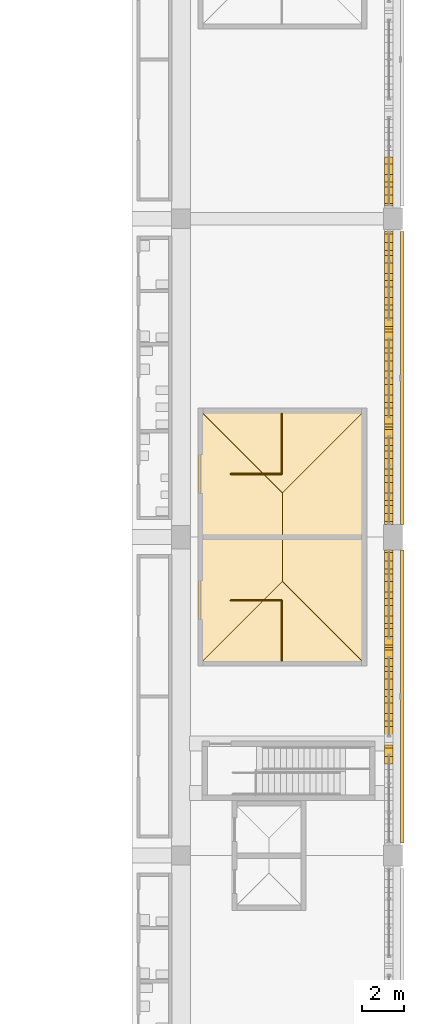
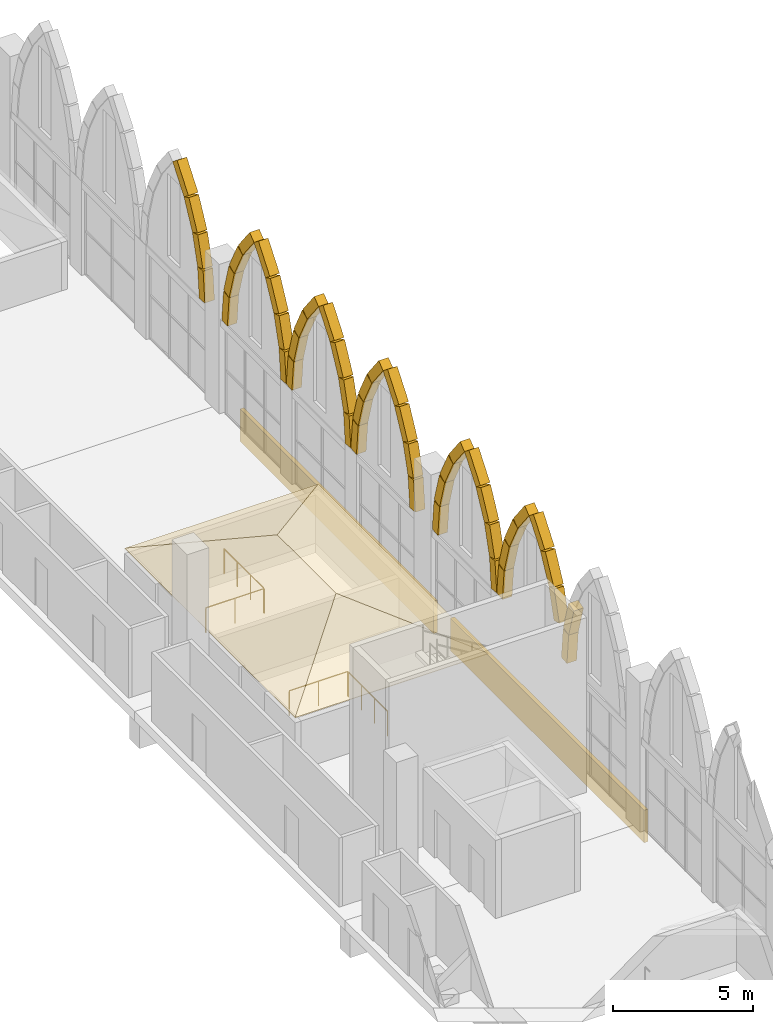
# One storey, part 114 of 130: 51 coverings, 4 railings.
"""IFC4 building model written with IfcOpenShell, lengths in metres."""

from ifc_helpers import new_model, si_unit, direction, frame, origin, origin_2d, place, context, subcontext, project, spatial, polyline, rectangle, circle, outline, extrude, material, layer, layer_set, material_profile, profile_set, type_object, element, save


model = new_model("IFC4")

# Units and contexts
model_context = context("Model", 3, precision=1e-05, world=origin(), true_north=direction((0.0, 1.0)))
body_context = subcontext(model_context, "Body", "Model", "MODEL_VIEW")
ifc_project = project(units=[si_unit("LENGTHUNIT", "METRE"), si_unit("AREAUNIT", "SQUARE_METRE"), si_unit("VOLUMEUNIT", "CUBIC_METRE"), si_unit("PLANEANGLEUNIT", "RADIAN"), si_unit("MASSUNIT", "GRAM", prefix="KILO")], contexts=[model_context])

# Site, building, storey
site_placement = place(None, origin())
site = spatial("IfcSite", under=ifc_project, at=site_placement, CompositionType="ELEMENT")
building_placement = place(site_placement, origin())
building = spatial("IfcBuilding", under=site, at=building_placement, Name="Ogive Plaza Stadium", CompositionType="ELEMENT")
storey_placement = place(building_placement, frame((0.0, 0.0, 22.5)))
storey = spatial("IfcBuildingStorey", under=building, at=storey_placement, Name="L05", CompositionType="ELEMENT", Elevation=22.5)

# Railings
ifc_material_1 = material(Name="Steel ASTM A572 Grade 50", Category="steel")
railing_type = type_object("IfcRailingType", Name="Guard 1100", PredefinedType="GUARDRAIL", material=ifc_material_1)
railing_1_placement = place(storey_placement, frame((76.35009765625, 4.52490234375, 0.0)))
element("IfcRailing", 1, at=railing_1_placement, inside=storey, type_object=railing_type, Name="Stair well guard ST04A L05", PredefinedType="GUARDRAIL", context=body_context, shape_type="SweptSolid", body=[
    extrude(circle(Radius=0.02392578125, at=origin_2d()), frame((0.0, 0.0, 1.076171875), z_axis=(1.0, 0.0, 0.0), x_axis=(0.0, 1.0, 0.0)), (0.0, 0.0, 1.0), 2.39990234375),
    extrude(circle(Radius=0.02099609375, at=origin_2d()), origin(), (0.0, 0.0, 1.0), 1.052001953125),
    extrude(circle(Radius=0.02099609375, at=origin_2d()), frame((1.199951171875, 0.0, 0.0)), (0.0, 0.0, 1.0), 1.052001953125),
    extrude(circle(Radius=0.02099609375, at=origin_2d()), frame((2.39990234375, 0.0, 0.0)), (0.0, 0.0, 1.0), 1.052001953125),
])
railing_2_placement = place(storey_placement, frame((78.75, 1.675048828125, 0.0)))
element("IfcRailing", 2, at=railing_2_placement, inside=storey, type_object=railing_type, Name="Stair guard ST04A L05", PredefinedType="GUARDRAIL", context=body_context, shape_type="SweptSolid", body=[
    extrude(circle(Radius=0.02392578125, at=origin_2d()), frame((0.0, 0.0, 1.076171875), z_axis=(0.0, 1.0, 0.0), x_axis=(-1.0, 0.0, 0.0)), (0.0, 0.0, 1.0), 2.800048828125),
    extrude(circle(Radius=0.02099609375, at=origin_2d()), origin(), (0.0, 0.0, 1.0), 1.052001953125),
    extrude(circle(Radius=0.02099609375, at=origin_2d()), frame((0.0, 0.933349609375, 0.0)), (0.0, 0.0, 1.0), 1.052001953125),
    extrude(circle(Radius=0.02099609375, at=origin_2d()), frame((0.0, 1.86669921875, 0.0)), (0.0, 0.0, 1.0), 1.052001953125),
    extrude(circle(Radius=0.02099609375, at=origin_2d()), frame((0.0, 2.800048828125, 0.0)), (0.0, 0.0, 1.0), 1.052001953125),
])
railing_3_placement = place(storey_placement, frame((76.35009765625, 10.47509765625, 0.0)))
element("IfcRailing", 3, at=railing_3_placement, inside=storey, type_object=railing_type, Name="Stair well guard ST04B L05", PredefinedType="GUARDRAIL", context=body_context, shape_type="SweptSolid", body=[
    extrude(circle(Radius=0.02392578125, at=origin_2d()), frame((0.0, 0.0, 1.076171875), z_axis=(1.0, 0.0, 0.0), x_axis=(0.0, 1.0, 0.0)), (0.0, 0.0, 1.0), 2.39990234375),
    extrude(circle(Radius=0.02099609375, at=origin_2d()), origin(), (0.0, 0.0, 1.0), 1.052001953125),
    extrude(circle(Radius=0.02099609375, at=origin_2d()), frame((1.199951171875, 0.0, 0.0)), (0.0, 0.0, 1.0), 1.052001953125),
    extrude(circle(Radius=0.02099609375, at=origin_2d()), frame((2.39990234375, 0.0, 0.0)), (0.0, 0.0, 1.0), 1.052001953125),
])
railing_4_placement = place(storey_placement, frame((78.75, 10.52490234375, 0.0)))
element("IfcRailing", 4, at=railing_4_placement, inside=storey, type_object=railing_type, Name="Stair guard ST04B L05", PredefinedType="GUARDRAIL", context=body_context, shape_type="SweptSolid", body=[
    extrude(circle(Radius=0.02392578125, at=origin_2d()), frame((0.0, 0.0, 1.076171875), z_axis=(0.0, 1.0, 0.0), x_axis=(-1.0, 0.0, 0.0)), (0.0, 0.0, 1.0), 2.800048828125),
    extrude(circle(Radius=0.02099609375, at=origin_2d()), origin(), (0.0, 0.0, 1.0), 1.052001953125),
    extrude(circle(Radius=0.02099609375, at=origin_2d()), frame((0.0, 0.933349609375, 0.0)), (0.0, 0.0, 1.0), 1.052001953125),
    extrude(circle(Radius=0.02099609375, at=origin_2d()), frame((0.0, 1.86669921875, 0.0)), (0.0, 0.0, 1.0), 1.052001953125),
    extrude(circle(Radius=0.02099609375, at=origin_2d()), frame((0.0, 2.800048828125, 0.0)), (0.0, 0.0, 1.0), 1.052001953125),
])

# Coverings
ifc_material_2 = material(Name="Cast stone (reconstituted limestone)", Category="masonry")
ifc_material_profile = material_profile(ifc_material_2, rectangle(XDim=0.39990234375, YDim=0.39990234375, at=origin_2d()), Name="Cast stone 400x400")
ifc_profile_set = profile_set([ifc_material_profile], Name="Cast stone (reconstituted limestone)")
covering_type_1 = type_object("IfcCoveringType", Name="Precast arch rib 400x400", PredefinedType="MOLDING", material=ifc_profile_set)
covering_1_placement = place(storey_placement, frame((83.800048828125, 25.241943359375, 9.0224609375), z_axis=(0.0, -0.612799939872, -0.790238086713), x_axis=(1.0, 0.0, 0.0)))
element("IfcCovering", 5, at=covering_1_placement, inside=storey, type_object=covering_type_1, Name="ARCH RIB B02 3.5", PredefinedType="MOLDING", context=body_context, shape_type="SweptSolid", body=[
    extrude(rectangle(XDim=0.39990234375, YDim=0.39990234375, at=origin_2d()), origin(), (0.0, 0.0, 1.0), 1.319580078125),
])
for number, where, z_axis, x_axis, name in (
    (6, (83.800048828125, 24.4130859375, 7.947998046875), (0.0, -0.453934094395, -0.891035261898), (1.0, 0.0, 0.0), "ARCH RIB B02 3.6"),
    (7, (83.800048828125, 23.80029296875, 6.737060546875), (0.0, -0.2789697965, -0.960299876414), (1.0, 0.0, 0.0), "ARCH RIB B02 3.7"),
):
    element("IfcCovering", number, at=place(storey_placement, frame(where, z_axis=z_axis, x_axis=x_axis)), inside=storey, type_object=covering_type_1, Name=name, PredefinedType="MOLDING", context=body_context, shape_type="SweptSolid", body=[
        extrude(rectangle(XDim=0.39990234375, YDim=0.39990234375, at=origin_2d()), origin(), (0.0, 0.0, 1.0), 1.31982421875),
    ])
for number, where, z_axis, x_axis, name in (
    (8, (83.800048828125, 23.425048828125, 5.4326171875), (0.0, -0.094171713154, -0.995555969517), (1.0, 0.0, 0.0), "ARCH RIB B02 3.8"),
    (9, (83.800048828125, 21.69921875, 4.118896484375), (0.0, -0.094171713154, 0.995555969517), (1.0, 0.0, 0.0), "ARCH RIB B03 1.1"),
):
    element("IfcCovering", number, at=place(storey_placement, frame(where, z_axis=z_axis, x_axis=x_axis)), inside=storey, type_object=covering_type_1, Name=name, PredefinedType="MOLDING", context=body_context, shape_type="SweptSolid", body=[
        extrude(rectangle(XDim=0.39990234375, YDim=0.39990234375, at=origin_2d()), origin(), (0.0, 0.0, 1.0), 1.319580078125),
    ])
for number, where, z_axis, x_axis, name in (
    (10, (83.800048828125, 21.56787109375, 5.4697265625), (0.0, -0.2789697965, 0.960299876414), (1.0, 0.0, 0.0), "ARCH RIB B03 1.2"),
    (11, (83.800048828125, 21.18603515625, 6.77197265625), (0.0, -0.453934094395, 0.891035261898), (1.0, 0.0, 0.0), "ARCH RIB B03 1.3"),
):
    element("IfcCovering", number, at=place(storey_placement, frame(where, z_axis=z_axis, x_axis=x_axis)), inside=storey, type_object=covering_type_1, Name=name, PredefinedType="MOLDING", context=body_context, shape_type="SweptSolid", body=[
        extrude(rectangle(XDim=0.39990234375, YDim=0.39990234375, at=origin_2d()), origin(), (0.0, 0.0, 1.0), 1.31982421875),
    ])
for number, where, z_axis, x_axis, name in (
    (12, (83.800048828125, 20.566650390625, 7.979736328125), (0.0, -0.612799939872, 0.790238086713), (1.0, 0.0, 0.0), "ARCH RIB B03 1.4"),
    (13, (83.800048828125, 19.44189453125, 9.0224609375), (0.0, -0.612799939872, -0.790238086713), (1.0, 0.0, 0.0), "ARCH RIB B03 1.5"),
):
    element("IfcCovering", number, at=place(storey_placement, frame(where, z_axis=z_axis, x_axis=x_axis)), inside=storey, type_object=covering_type_1, Name=name, PredefinedType="MOLDING", context=body_context, shape_type="SweptSolid", body=[
        extrude(rectangle(XDim=0.39990234375, YDim=0.39990234375, at=origin_2d()), origin(), (0.0, 0.0, 1.0), 1.319580078125),
    ])
for number, where, z_axis, x_axis, name in (
    (14, (83.800048828125, 18.613037109375, 7.947998046875), (0.0, -0.453787214374, -0.891110074048), (1.0, 0.0, 0.0), "ARCH RIB B03 1.6"),
    (15, (83.800048828125, 18.000244140625, 6.737060546875), (0.0, -0.2789697965, -0.960299876414), (1.0, 0.0, 0.0), "ARCH RIB B03 1.7"),
):
    element("IfcCovering", number, at=place(storey_placement, frame(where, z_axis=z_axis, x_axis=x_axis)), inside=storey, type_object=covering_type_1, Name=name, PredefinedType="MOLDING", context=body_context, shape_type="SweptSolid", body=[
        extrude(rectangle(XDim=0.39990234375, YDim=0.39990234375, at=origin_2d()), origin(), (0.0, 0.0, 1.0), 1.31982421875),
    ])
for number, where, z_axis, x_axis, name in (
    (16, (83.800048828125, 17.625, 5.4326171875), (0.0, -0.093988335931, -0.995573298511), (1.0, 0.0, 0.0), "ARCH RIB B03 1.8"),
    (17, (83.800048828125, 17.09912109375, 4.118896484375), (0.0, -0.094171713154, 0.995555969517), (1.0, 0.0, 0.0), "ARCH RIB B03 2.1"),
    (18, (83.800048828125, 16.9677734375, 5.4697265625), (0.0, -0.278799187003, 0.960349422516), (1.0, 0.0, 0.0), "ARCH RIB B03 2.2"),
):
    element("IfcCovering", number, at=place(storey_placement, frame(where, z_axis=z_axis, x_axis=x_axis)), inside=storey, type_object=covering_type_1, Name=name, PredefinedType="MOLDING", context=body_context, shape_type="SweptSolid", body=[
        extrude(rectangle(XDim=0.39990234375, YDim=0.39990234375, at=origin_2d()), origin(), (0.0, 0.0, 1.0), 1.319580078125),
    ])
covering_2_placement = place(storey_placement, frame((83.800048828125, 16.5859375, 6.77197265625), z_axis=(0.0, -0.453934094395, 0.891035261898), x_axis=(1.0, 0.0, 0.0)))
element("IfcCovering", 19, at=covering_2_placement, inside=storey, type_object=covering_type_1, Name="ARCH RIB B03 2.3", PredefinedType="MOLDING", context=body_context, shape_type="SweptSolid", body=[
    extrude(rectangle(XDim=0.39990234375, YDim=0.39990234375, at=origin_2d()), origin(), (0.0, 0.0, 1.0), 1.31982421875),
])
for number, where, z_axis, x_axis, name in (
    (20, (83.800048828125, 15.966796875, 7.979736328125), (0.0, -0.612915463399, 0.790148489036), (1.0, 0.0, 0.0), "ARCH RIB B03 2.4"),
    (21, (83.800048828125, 14.842041015625, 9.0224609375), (0.0, -0.612915463399, -0.790148489036), (1.0, 0.0, 0.0), "ARCH RIB B03 2.5"),
):
    element("IfcCovering", number, at=place(storey_placement, frame(where, z_axis=z_axis, x_axis=x_axis)), inside=storey, type_object=covering_type_1, Name=name, PredefinedType="MOLDING", context=body_context, shape_type="SweptSolid", body=[
        extrude(rectangle(XDim=0.39990234375, YDim=0.39990234375, at=origin_2d()), origin(), (0.0, 0.0, 1.0), 1.319580078125),
    ])
covering_3_placement = place(storey_placement, frame((83.800048828125, 14.01318359375, 7.947998046875), z_axis=(0.0, -0.453934094395, -0.891035261898), x_axis=(1.0, 0.0, 0.0)))
element("IfcCovering", 22, at=covering_3_placement, inside=storey, type_object=covering_type_1, Name="ARCH RIB B03 2.6", PredefinedType="MOLDING", context=body_context, shape_type="SweptSolid", body=[
    extrude(rectangle(XDim=0.39990234375, YDim=0.39990234375, at=origin_2d()), origin(), (0.0, 0.0, 1.0), 1.31982421875),
])
for number, where, z_axis, x_axis, name in (
    (23, (83.800048828125, 13.400146484375, 6.737060546875), (0.0, -0.278799187003, -0.960349422516), (1.0, 0.0, 0.0), "ARCH RIB B03 2.7"),
    (24, (83.800048828125, 13.025146484375, 5.4326171875), (0.0, -0.094171713154, -0.995555969517), (1.0, 0.0, 0.0), "ARCH RIB B03 2.8"),
    (25, (83.800048828125, 12.4990234375, 4.118896484375), (0.0, -0.093988335931, 0.995573298511), (1.0, 0.0, 0.0), "ARCH RIB B03 3.1"),
):
    element("IfcCovering", number, at=place(storey_placement, frame(where, z_axis=z_axis, x_axis=x_axis)), inside=storey, type_object=covering_type_1, Name=name, PredefinedType="MOLDING", context=body_context, shape_type="SweptSolid", body=[
        extrude(rectangle(XDim=0.39990234375, YDim=0.39990234375, at=origin_2d()), origin(), (0.0, 0.0, 1.0), 1.319580078125),
    ])
for number, where, z_axis, x_axis, name in (
    (26, (83.800048828125, 12.367919921875, 5.4697265625), (0.0, -0.2789697965, 0.960299876414), (1.0, 0.0, 0.0), "ARCH RIB B03 3.2"),
    (27, (83.800048828125, 11.98583984375, 6.77197265625), (0.0, -0.453787214374, 0.891110074048), (1.0, 0.0, 0.0), "ARCH RIB B03 3.3"),
):
    element("IfcCovering", number, at=place(storey_placement, frame(where, z_axis=z_axis, x_axis=x_axis)), inside=storey, type_object=covering_type_1, Name=name, PredefinedType="MOLDING", context=body_context, shape_type="SweptSolid", body=[
        extrude(rectangle(XDim=0.39990234375, YDim=0.39990234375, at=origin_2d()), origin(), (0.0, 0.0, 1.0), 1.31982421875),
    ])
for number, where, z_axis, x_axis, name in (
    (28, (83.800048828125, 11.36669921875, 7.979736328125), (0.0, -0.612799939872, 0.790238086713), (1.0, 0.0, 0.0), "ARCH RIB B03 3.4"),
    (29, (83.800048828125, 10.241943359375, 9.0224609375), (0.0, -0.612799939872, -0.790238086713), (1.0, 0.0, 0.0), "ARCH RIB B03 3.5"),
):
    element("IfcCovering", number, at=place(storey_placement, frame(where, z_axis=z_axis, x_axis=x_axis)), inside=storey, type_object=covering_type_1, Name=name, PredefinedType="MOLDING", context=body_context, shape_type="SweptSolid", body=[
        extrude(rectangle(XDim=0.39990234375, YDim=0.39990234375, at=origin_2d()), origin(), (0.0, 0.0, 1.0), 1.319580078125),
    ])
for number, where, z_axis, x_axis, name in (
    (30, (83.800048828125, 9.4130859375, 7.947998046875), (0.0, -0.453934094395, -0.891035261898), (1.0, 0.0, 0.0), "ARCH RIB B03 3.6"),
    (31, (83.800048828125, 8.80029296875, 6.737060546875), (0.0, -0.2789697965, -0.960299876414), (1.0, 0.0, 0.0), "ARCH RIB B03 3.7"),
):
    element("IfcCovering", number, at=place(storey_placement, frame(where, z_axis=z_axis, x_axis=x_axis)), inside=storey, type_object=covering_type_1, Name=name, PredefinedType="MOLDING", context=body_context, shape_type="SweptSolid", body=[
        extrude(rectangle(XDim=0.39990234375, YDim=0.39990234375, at=origin_2d()), origin(), (0.0, 0.0, 1.0), 1.31982421875),
    ])
for number, where, z_axis, x_axis, name in (
    (32, (83.800048828125, 8.425048828125, 5.4326171875), (0.0, -0.094171713154, -0.995555969517), (1.0, 0.0, 0.0), "ARCH RIB B03 3.8"),
    (33, (83.800048828125, 6.69921875, 4.118896484375), (0.0, -0.094171713154, 0.995555969517), (1.0, 0.0, 0.0), "ARCH RIB B04 1.1"),
):
    element("IfcCovering", number, at=place(storey_placement, frame(where, z_axis=z_axis, x_axis=x_axis)), inside=storey, type_object=covering_type_1, Name=name, PredefinedType="MOLDING", context=body_context, shape_type="SweptSolid", body=[
        extrude(rectangle(XDim=0.39990234375, YDim=0.39990234375, at=origin_2d()), origin(), (0.0, 0.0, 1.0), 1.319580078125),
    ])
for number, where, z_axis, x_axis, name in (
    (34, (83.800048828125, 6.56787109375, 5.4697265625), (0.0, -0.2789697965, 0.960299876414), (1.0, 0.0, 0.0), "ARCH RIB B04 1.2"),
    (35, (83.800048828125, 6.18603515625, 6.77197265625), (0.0, -0.453934094395, 0.891035261898), (1.0, 0.0, 0.0), "ARCH RIB B04 1.3"),
):
    element("IfcCovering", number, at=place(storey_placement, frame(where, z_axis=z_axis, x_axis=x_axis)), inside=storey, type_object=covering_type_1, Name=name, PredefinedType="MOLDING", context=body_context, shape_type="SweptSolid", body=[
        extrude(rectangle(XDim=0.39990234375, YDim=0.39990234375, at=origin_2d()), origin(), (0.0, 0.0, 1.0), 1.31982421875),
    ])
for number, where, z_axis, x_axis, name in (
    (36, (83.800048828125, 5.566650390625, 7.979736328125), (0.0, -0.612799939872, 0.790238086713), (1.0, 0.0, 0.0), "ARCH RIB B04 1.4"),
    (37, (83.800048828125, 4.44189453125, 9.0224609375), (0.0, -0.612799939872, -0.790238086713), (1.0, 0.0, 0.0), "ARCH RIB B04 1.5"),
):
    element("IfcCovering", number, at=place(storey_placement, frame(where, z_axis=z_axis, x_axis=x_axis)), inside=storey, type_object=covering_type_1, Name=name, PredefinedType="MOLDING", context=body_context, shape_type="SweptSolid", body=[
        extrude(rectangle(XDim=0.39990234375, YDim=0.39990234375, at=origin_2d()), origin(), (0.0, 0.0, 1.0), 1.319580078125),
    ])
for number, where, z_axis, x_axis, name in (
    (38, (83.800048828125, 3.613037109375, 7.947998046875), (0.0, -0.453787214374, -0.891110074048), (1.0, 0.0, 0.0), "ARCH RIB B04 1.6"),
    (39, (83.800048828125, 3.000244140625, 6.737060546875), (0.0, -0.2789697965, -0.960299876414), (1.0, 0.0, 0.0), "ARCH RIB B04 1.7"),
):
    element("IfcCovering", number, at=place(storey_placement, frame(where, z_axis=z_axis, x_axis=x_axis)), inside=storey, type_object=covering_type_1, Name=name, PredefinedType="MOLDING", context=body_context, shape_type="SweptSolid", body=[
        extrude(rectangle(XDim=0.39990234375, YDim=0.39990234375, at=origin_2d()), origin(), (0.0, 0.0, 1.0), 1.31982421875),
    ])
for number, where, z_axis, x_axis, name in (
    (40, (83.800048828125, 2.625, 5.4326171875), (0.0, -0.093988335931, -0.995573298511), (1.0, 0.0, 0.0), "ARCH RIB B04 1.8"),
    (41, (83.800048828125, 2.09912109375, 4.118896484375), (0.0, -0.094171713154, 0.995555969517), (1.0, 0.0, 0.0), "ARCH RIB B04 2.1"),
    (42, (83.800048828125, 1.9677734375, 5.4697265625), (0.0, -0.278799187003, 0.960349422516), (1.0, 0.0, 0.0), "ARCH RIB B04 2.2"),
):
    element("IfcCovering", number, at=place(storey_placement, frame(where, z_axis=z_axis, x_axis=x_axis)), inside=storey, type_object=covering_type_1, Name=name, PredefinedType="MOLDING", context=body_context, shape_type="SweptSolid", body=[
        extrude(rectangle(XDim=0.39990234375, YDim=0.39990234375, at=origin_2d()), origin(), (0.0, 0.0, 1.0), 1.319580078125),
    ])
covering_4_placement = place(storey_placement, frame((83.800048828125, 1.5859375, 6.77197265625), z_axis=(0.0, -0.453934094395, 0.891035261898), x_axis=(1.0, 0.0, 0.0)))
element("IfcCovering", 43, at=covering_4_placement, inside=storey, type_object=covering_type_1, Name="ARCH RIB B04 2.3", PredefinedType="MOLDING", context=body_context, shape_type="SweptSolid", body=[
    extrude(rectangle(XDim=0.39990234375, YDim=0.39990234375, at=origin_2d()), origin(), (0.0, 0.0, 1.0), 1.31982421875),
])
for number, where, z_axis, x_axis, name in (
    (44, (83.800048828125, 0.966796875, 7.979736328125), (0.0, -0.612915463399, 0.790148489036), (1.0, 0.0, 0.0), "ARCH RIB B04 2.4"),
    (45, (83.800048828125, -0.157958984375, 9.0224609375), (0.0, -0.612915463399, -0.790148489036), (1.0, 0.0, 0.0), "ARCH RIB B04 2.5"),
):
    element("IfcCovering", number, at=place(storey_placement, frame(where, z_axis=z_axis, x_axis=x_axis)), inside=storey, type_object=covering_type_1, Name=name, PredefinedType="MOLDING", context=body_context, shape_type="SweptSolid", body=[
        extrude(rectangle(XDim=0.39990234375, YDim=0.39990234375, at=origin_2d()), origin(), (0.0, 0.0, 1.0), 1.319580078125),
    ])
covering_5_placement = place(storey_placement, frame((83.800048828125, -0.98681640625, 7.947998046875), z_axis=(0.0, -0.453934094395, -0.891035261898), x_axis=(1.0, 0.0, 0.0)))
element("IfcCovering", 46, at=covering_5_placement, inside=storey, type_object=covering_type_1, Name="ARCH RIB B04 2.6", PredefinedType="MOLDING", context=body_context, shape_type="SweptSolid", body=[
    extrude(rectangle(XDim=0.39990234375, YDim=0.39990234375, at=origin_2d()), origin(), (0.0, 0.0, 1.0), 1.31982421875),
])
for number, where, z_axis, x_axis, name in (
    (47, (83.800048828125, -1.599853515625, 6.737060546875), (0.0, -0.278799187003, -0.960349422516), (1.0, 0.0, 0.0), "ARCH RIB B04 2.7"),
    (48, (83.800048828125, -2.5009765625, 4.118896484375), (0.0, -0.093988335931, 0.995573298511), (1.0, 0.0, 0.0), "ARCH RIB B04 3.1"),
):
    element("IfcCovering", number, at=place(storey_placement, frame(where, z_axis=z_axis, x_axis=x_axis)), inside=storey, type_object=covering_type_1, Name=name, PredefinedType="MOLDING", context=body_context, shape_type="SweptSolid", body=[
        extrude(rectangle(XDim=0.39990234375, YDim=0.39990234375, at=origin_2d()), origin(), (0.0, 0.0, 1.0), 1.319580078125),
    ])
covering_6_placement = place(storey_placement, frame((83.800048828125, -2.632080078125, 5.4697265625), z_axis=(0.0, -0.2789697965, 0.960299876414), x_axis=(1.0, 0.0, 0.0)))
element("IfcCovering", 49, at=covering_6_placement, inside=storey, type_object=covering_type_1, Name="ARCH RIB B04 3.2", PredefinedType="MOLDING", context=body_context, shape_type="SweptSolid", body=[
    extrude(rectangle(XDim=0.39990234375, YDim=0.39990234375, at=origin_2d()), origin(), (0.0, 0.0, 1.0), 1.31982421875),
])
ifc_material_3 = material(Name="Cast stone (reconstituted limestone)", Category="masonry")
ifc_layer_1 = layer(ifc_material_3, 0.159912109375)
ifc_layer_set_1 = layer_set([ifc_layer_1], Name="Precast spandrel cladding 160")
covering_type_2 = type_object("IfcCoveringType", Name="Precast spandrel cladding 160", PredefinedType="CLADDING", material=ifc_layer_set_1)
covering_7_placement = place(storey_placement, frame((0.0, 0.0, -1.409912109375)))
element("IfcCovering", 50, at=covering_7_placement, inside=storey, type_object=covering_type_2, Name="SPANDREL CLADDING B03 L05", PredefinedType="CLADDING", context=body_context, shape_type="SweptSolid", body=[
    extrude(outline(polyline([(84.35009765625, 21.89990234375), (84.35009765625, 8.10009765625), (84.510009765625, 8.10009765625), (84.510009765625, 21.89990234375), (84.35009765625, 21.89990234375)])), origin(), (0.0, 0.0, 1.0), 1.409912109375),
])
covering_8_placement = place(storey_placement, frame((0.0, 0.0, -1.409912109375)))
element("IfcCovering", 51, at=covering_8_placement, inside=storey, type_object=covering_type_2, Name="SPANDREL CLADDING B04 L05", PredefinedType="CLADDING", context=body_context, shape_type="SweptSolid", body=[
    extrude(outline(polyline([(84.35009765625, 6.89990234375), (84.35009765625, -6.89990234375), (84.510009765625, -6.89990234375), (84.510009765625, 6.89990234375), (84.35009765625, 6.89990234375)])), origin(), (0.0, 0.0, 1.0), 1.409912109375),
])
ifc_material_4 = material(Name="Zinc standing seam", Category="metal")
ifc_layer_2 = layer(ifc_material_4, 0.0400390625)
ifc_layer_set_2 = layer_set([ifc_layer_2], Name="Turret roof zinc standing seam 40")
covering_type_3 = type_object("IfcCoveringType", Name="Turret roof zinc standing seam 40", PredefinedType="ROOFING", material=ifc_layer_set_2)
covering_9_placement = place(storey_placement, frame((82.760009765625, 1.425048828125, 2.337158203125), z_axis=(0.372970046205, 0.0, 0.927843383677), x_axis=(0.0, 1.0, 0.0)))
element("IfcCovering", 52, at=covering_9_placement, inside=storey, type_object=covering_type_3, Name="Stair core roof facet R04 1", PredefinedType="ROOFING", context=body_context, shape_type="SweptSolid", body=[
    extrude(outline(polyline([(0.0, 0.0), (12.14990234375, 0.0), (8.169921875, 4.289495984738666), (3.97998046875, 4.289495984738666), (0.0, 0.0)])), origin(), (0.0, 0.0, -1.0), 0.0400390625),
])
covering_10_placement = place(storey_placement, frame((82.760009765625, 13.574951171875, 2.337158203125), z_axis=(0.0, 0.372970046205, 0.927843383677), x_axis=(-1.0, 0.0, 0.0)))
element("IfcCovering", 53, at=covering_10_placement, inside=storey, type_object=covering_type_3, Name="Stair core roof facet R04 2", PredefinedType="ROOFING", context=body_context, shape_type="SweptSolid", body=[
    extrude(outline(polyline([(0.0, 0.0), (7.9599609375, 0.0), (3.97998046875, 4.289495984738666), (0.0, 0.0)])), origin(), (0.0, 0.0, -1.0), 0.0400390625),
])
covering_11_placement = place(storey_placement, frame((74.800048828125, 13.574951171875, 2.337158203125), z_axis=(-0.372970046205, 0.0, 0.927843383677), x_axis=(0.0, -1.0, 0.0)))
element("IfcCovering", 54, at=covering_11_placement, inside=storey, type_object=covering_type_3, Name="Stair core roof facet R04 3", PredefinedType="ROOFING", context=body_context, shape_type="SweptSolid", body=[
    extrude(outline(polyline([(0.0, 0.0), (12.14990234375, 0.0), (8.169921875, 4.289495984738666), (3.97998046875, 4.289495984738666), (0.0, 0.0)])), origin(), (0.0, 0.0, -1.0), 0.0400390625),
])
covering_12_placement = place(storey_placement, frame((74.800048828125, 1.425048828125, 2.337158203125), z_axis=(0.0, -0.372970046205, 0.927843383677), x_axis=(1.0, 0.0, 0.0)))
element("IfcCovering", 55, at=covering_12_placement, inside=storey, type_object=covering_type_3, Name="Stair core roof facet R04 4", PredefinedType="ROOFING", context=body_context, shape_type="SweptSolid", body=[
    extrude(outline(polyline([(0.0, 0.0), (7.9599609375, 0.0), (3.97998046875, 4.289495984738666), (0.0, 0.0)])), origin(), (0.0, 0.0, -1.0), 0.0400390625),
])

save(model, "model.ifc")
